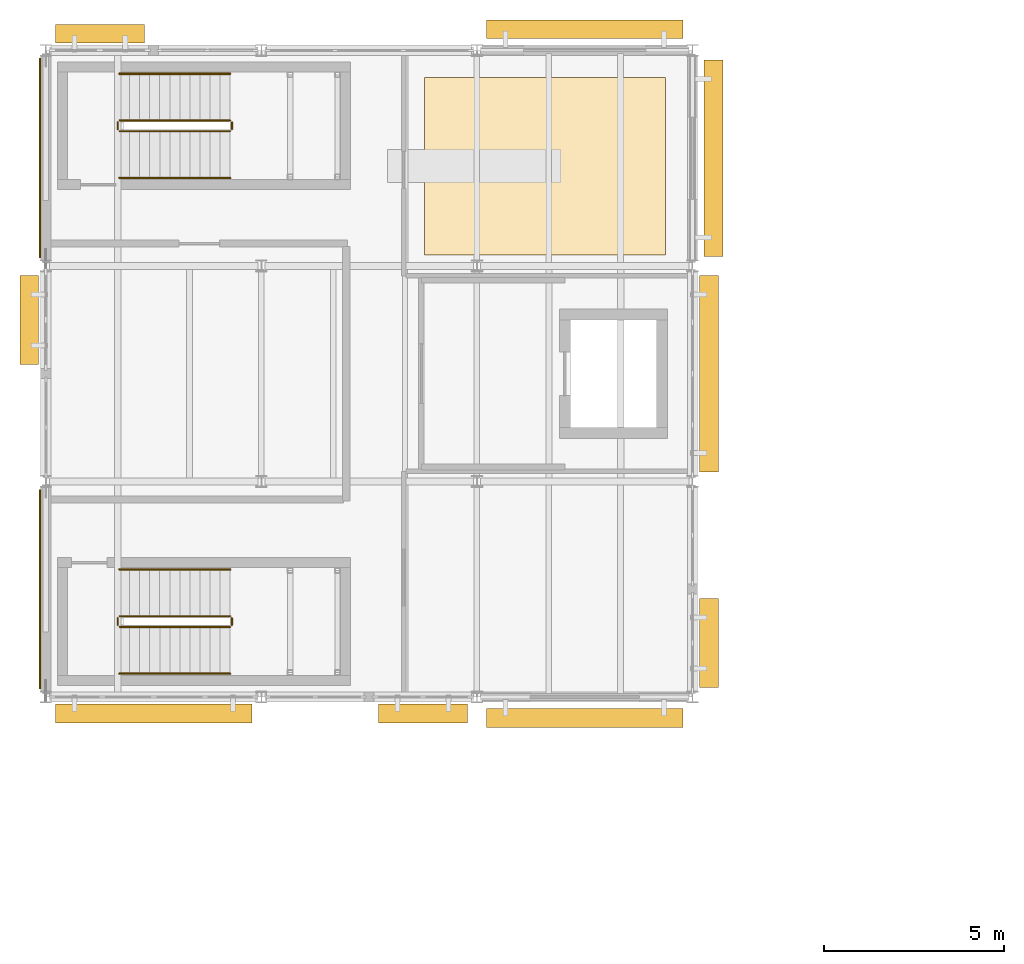
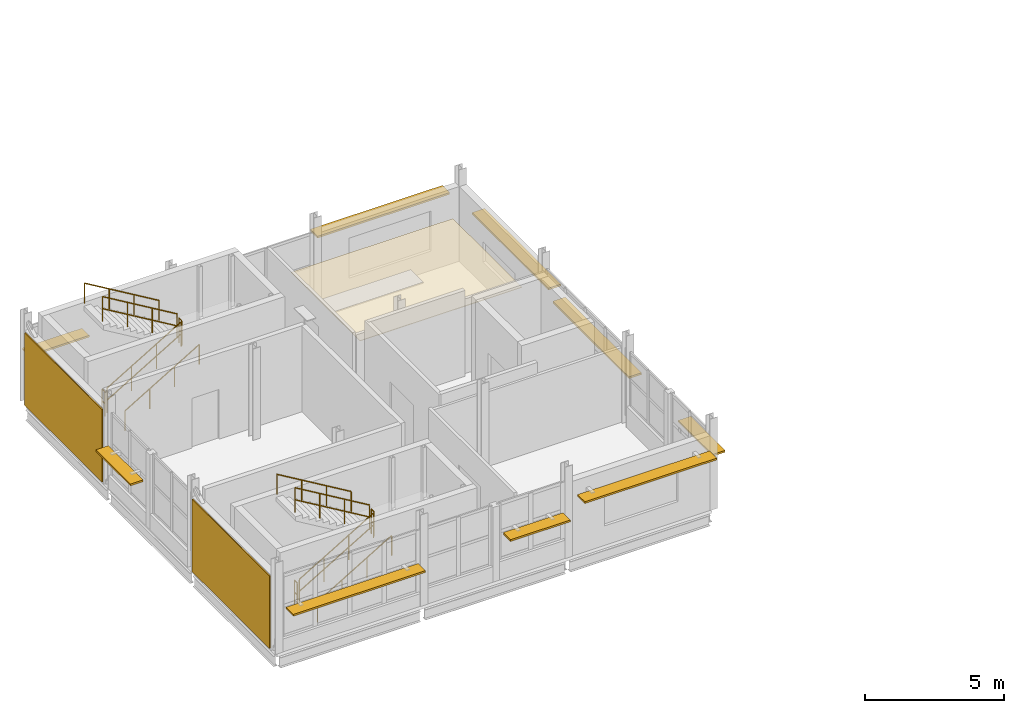
# One storey, part 22 of 23: 12 railings, 9 shading devices, 3 coverings.
"""IFC4 building model written with IfcOpenShell, lengths in metres."""

from ifc_helpers import new_model, si_unit, direction, frame, origin, origin_2d, place, context, subcontext, project, spatial, polyline, rectangle, circle, outline, extrude, material, layer, layer_set, type_object, element, save


model = new_model("IFC4")

# Units and contexts
model_context = context("Model", 3, precision=1e-05, world=origin(), true_north=direction((0.0, 1.0)))
body_context = subcontext(model_context, "Body", "Model", "MODEL_VIEW")
ifc_project = project(units=[si_unit("LENGTHUNIT", "METRE"), si_unit("AREAUNIT", "SQUARE_METRE"), si_unit("VOLUMEUNIT", "CUBIC_METRE"), si_unit("PLANEANGLEUNIT", "RADIAN"), si_unit("MASSUNIT", "GRAM", prefix="KILO")], contexts=[model_context])

# Site, building, storey
site_placement = place(None, origin())
site = spatial("IfcSite", under=ifc_project, at=site_placement, CompositionType="ELEMENT")
building_placement = place(site_placement, origin())
building = spatial("IfcBuilding", under=site, at=building_placement, Name="Siltcreek Boulevard Central Fire Station", CompositionType="ELEMENT")
storey_placement = place(building_placement, frame((0.0, 0.0, 14.0)))
storey = spatial("IfcBuildingStorey", under=building, at=storey_placement, Name="L04", CompositionType="ELEMENT", Elevation=14.0)

# Coverings
ifc_material_1 = material(Name="Mineral-fiber acoustic ceiling tile", Category="gypsum")
ifc_layer_1 = layer(ifc_material_1, 0.02490234375, Name="Mineral-fiber acoustic ceiling tile")
ifc_layer_set_1 = layer_set([ifc_layer_1], Name="Mineral-fiber acoustic ceiling tile")
covering_type_1 = type_object("IfcCoveringType", Name="COV_CEIL_ACT", PredefinedType="CEILING", material=ifc_layer_set_1)
covering_placement = place(storey_placement, frame((0.0, 0.0, 2.419921875)))
element("IfcCovering", 1, at=covering_placement, inside=storey, type_object=covering_type_1, Name="L04 Thermal Imaging Classroom L04 acoustic ceiling ACT-037", PredefinedType="CEILING", context=body_context, shape_type="SweptSolid", body=[
    extrude(outline(polyline([(52.5400390625, 106.5), (59.25, 106.5), (59.25, 111.449951171875), (52.5400390625, 111.449951171875), (52.5400390625, 106.5)])), origin(), (0.0, 0.0, 1.0), 0.025146484375),
])
ifc_material_2 = material(Name="Crisp white ribbed aluminum facade panel", Category="aluminium")
ifc_layer_2 = layer(ifc_material_2, 0.0400390625, Name="Crisp white ribbed aluminum facade panel")
ifc_layer_set_2 = layer_set([ifc_layer_2], Name="Crisp white ribbed aluminum facade panel")
covering_type_2 = type_object("IfcCoveringType", Name="COV_CLAD_WHITE", PredefinedType="CLADDING", material=ifc_layer_set_2)
for number, where, z_axis, x_axis, name in (
    (2, (41.8369140625, 97.199951171875, 0.0498046875), (0.0, 0.0, 1.0), (0.0, -1.0, 0.0), "L04 V3 ventilated facade cladding panel CL-014"),
    (3, (41.8369140625, 109.199951171875, 0.0498046875), (0.0, 0.0, 1.0), (0.0, -1.0, 0.0), "L04 V3 ventilated facade cladding panel CL-015"),
):
    element("IfcCovering", number, at=place(storey_placement, frame(where, z_axis=z_axis, x_axis=x_axis)), inside=storey, type_object=covering_type_2, Name=name, PredefinedType="CLADDING", context=body_context, shape_type="SweptSolid", body=[
        extrude(rectangle(XDim=5.550048828125, YDim=0.0400390625, at=origin_2d()), origin(), (0.0, 0.0, 1.0), 3.173095703125),
    ])

# Railings
ifc_material_3 = material(Name="Painted galvanized steel stair guard", Category="steel")
railing_type_1 = type_object("IfcRailingType", Name="RL_ST_GUARD", PredefinedType="BALUSTRADE", material=ifc_material_3)
railing_1_placement = place(storey_placement, frame((44.050048828125, 96.14990234375, 0.166748046875)))
element("IfcRailing", 4, at=railing_1_placement, inside=storey, type_object=railing_type_1, Name="L04 ST-V3A stair guard 1", PredefinedType="BALUSTRADE", context=body_context, shape_type="SweptSolid", body=[
    extrude(circle(Radius=0.02392578125, at=origin_2d()), frame((0.0, 0.0, 1.076171875), z_axis=(0.859290745958, 0.0, 0.51148745235), x_axis=(0.0, 1.0, 0.0)), (0.0, 0.0, 1.0), 3.584228515625),
    extrude(circle(Radius=0.02392578125, at=origin_2d()), frame((0.0, 0.0, 0.550048828125), z_axis=(0.859290745958, 0.0, 0.51148745235), x_axis=(0.0, 1.0, 0.0)), (0.0, 0.0, 1.0), 3.584228515625),
    extrude(circle(Radius=0.02099609375, at=origin_2d()), origin(), (0.0, 0.0, 1.0), 1.052001953125),
    extrude(circle(Radius=0.02099609375, at=origin_2d()), frame((1.026611328125, 0.0, 0.611083984375)), (0.0, 0.0, 1.0), 1.052001953125),
    extrude(circle(Radius=0.02099609375, at=origin_2d()), frame((2.05322265625, 0.0, 1.22216796875)), (0.0, 0.0, 1.0), 1.052001953125),
    extrude(circle(Radius=0.02099609375, at=origin_2d()), frame((3.079833984375, 0.0, 1.833251953125)), (0.0, 0.0, 1.0), 1.052001953125),
])
railing_2_placement = place(storey_placement, frame((47.179931640625, 96.199951171875, 2.0)))
element("IfcRailing", 5, at=railing_2_placement, inside=storey, type_object=railing_type_1, Name="L04 ST-V3A stair guard 2", PredefinedType="BALUSTRADE", context=body_context, shape_type="SweptSolid", body=[
    extrude(circle(Radius=0.02392578125, at=origin_2d()), frame((0.0, 0.0, 1.076171875), z_axis=(0.0, 1.0, 0.0), x_axis=(-1.0, 0.0, 0.0)), (0.0, 0.0, 1.0), 0.199951171875),
    extrude(circle(Radius=0.02392578125, at=origin_2d()), frame((0.0, 0.0, 0.550048828125), z_axis=(0.0, 1.0, 0.0), x_axis=(-1.0, 0.0, 0.0)), (0.0, 0.0, 1.0), 0.199951171875),
    extrude(circle(Radius=0.02099609375, at=origin_2d()), origin(), (0.0, 0.0, 1.0), 1.052001953125),
    extrude(circle(Radius=0.02099609375, at=origin_2d()), frame((0.0, 0.199951171875, 0.0)), (0.0, 0.0, 1.0), 1.052001953125),
])
railing_3_placement = place(storey_placement, frame((47.1298828125, 96.449951171875, 2.166748046875)))
element("IfcRailing", 6, at=railing_3_placement, inside=storey, type_object=railing_type_1, Name="L04 ST-V3A stair guard 3", PredefinedType="BALUSTRADE", context=body_context, shape_type="SweptSolid", body=[
    extrude(circle(Radius=0.02392578125, at=origin_2d()), frame((0.0, 0.0, 1.076171875), z_axis=(-0.859290745958, 0.0, 0.51148745235), x_axis=(0.0, -1.0, 0.0)), (0.0, 0.0, 1.0), 3.584228515625),
    extrude(circle(Radius=0.02392578125, at=origin_2d()), frame((0.0, 0.0, 0.550048828125), z_axis=(-0.859290745958, 0.0, 0.51148745235), x_axis=(0.0, -1.0, 0.0)), (0.0, 0.0, 1.0), 3.584228515625),
    extrude(circle(Radius=0.02099609375, at=origin_2d()), origin(), (0.0, 0.0, 1.0), 1.052001953125),
    extrude(circle(Radius=0.02099609375, at=origin_2d()), frame((-1.026611328125, 0.0, 0.611083984375)), (0.0, 0.0, 1.0), 1.052001953125),
    extrude(circle(Radius=0.02099609375, at=origin_2d()), frame((-2.05322265625, 0.0, 1.22216796875)), (0.0, 0.0, 1.0), 1.052001953125),
    extrude(circle(Radius=0.02099609375, at=origin_2d()), frame((-3.079833984375, 0.0, 1.833251953125)), (0.0, 0.0, 1.0), 1.052001953125),
])
railing_4_placement = place(storey_placement, frame((44.0, 96.199951171875, 0.0)))
element("IfcRailing", 7, at=railing_4_placement, inside=storey, type_object=railing_type_1, Name="L04 ST-V3A stair guard 4", PredefinedType="BALUSTRADE", context=body_context, shape_type="SweptSolid", body=[
    extrude(circle(Radius=0.02392578125, at=origin_2d()), frame((0.0, 0.0, 1.076171875), z_axis=(0.0, 1.0, 0.0), x_axis=(-1.0, 0.0, 0.0)), (0.0, 0.0, 1.0), 0.199951171875),
    extrude(circle(Radius=0.02392578125, at=origin_2d()), frame((0.0, 0.0, 0.550048828125), z_axis=(0.0, 1.0, 0.0), x_axis=(-1.0, 0.0, 0.0)), (0.0, 0.0, 1.0), 0.199951171875),
    extrude(circle(Radius=0.02099609375, at=origin_2d()), origin(), (0.0, 0.0, 1.0), 1.052001953125),
    extrude(circle(Radius=0.02099609375, at=origin_2d()), frame((0.0, 0.199951171875, 0.0)), (0.0, 0.0, 1.0), 1.052001953125),
])
railing_5_placement = place(storey_placement, frame((44.050048828125, 109.949951171875, 0.166748046875)))
element("IfcRailing", 8, at=railing_5_placement, inside=storey, type_object=railing_type_1, Name="L04 ST-V3B stair guard 1", PredefinedType="BALUSTRADE", context=body_context, shape_type="SweptSolid", body=[
    extrude(circle(Radius=0.02392578125, at=origin_2d()), frame((0.0, 0.0, 1.076171875), z_axis=(0.859290745958, 0.0, 0.51148745235), x_axis=(0.0, 1.0, 0.0)), (0.0, 0.0, 1.0), 3.584228515625),
    extrude(circle(Radius=0.02392578125, at=origin_2d()), frame((0.0, 0.0, 0.550048828125), z_axis=(0.859290745958, 0.0, 0.51148745235), x_axis=(0.0, 1.0, 0.0)), (0.0, 0.0, 1.0), 3.584228515625),
    extrude(circle(Radius=0.02099609375, at=origin_2d()), origin(), (0.0, 0.0, 1.0), 1.052001953125),
    extrude(circle(Radius=0.02099609375, at=origin_2d()), frame((1.026611328125, 0.0, 0.611083984375)), (0.0, 0.0, 1.0), 1.052001953125),
    extrude(circle(Radius=0.02099609375, at=origin_2d()), frame((2.05322265625, 0.0, 1.22216796875)), (0.0, 0.0, 1.0), 1.052001953125),
    extrude(circle(Radius=0.02099609375, at=origin_2d()), frame((3.079833984375, 0.0, 1.833251953125)), (0.0, 0.0, 1.0), 1.052001953125),
])
railing_6_placement = place(storey_placement, frame((47.179931640625, 110.0, 2.0)))
element("IfcRailing", 9, at=railing_6_placement, inside=storey, type_object=railing_type_1, Name="L04 ST-V3B stair guard 2", PredefinedType="BALUSTRADE", context=body_context, shape_type="SweptSolid", body=[
    extrude(circle(Radius=0.02392578125, at=origin_2d()), frame((0.0, 0.0, 1.076171875), z_axis=(0.0, 1.0, 0.0), x_axis=(-1.0, 0.0, 0.0)), (0.0, 0.0, 1.0), 0.199951171875),
    extrude(circle(Radius=0.02392578125, at=origin_2d()), frame((0.0, 0.0, 0.550048828125), z_axis=(0.0, 1.0, 0.0), x_axis=(-1.0, 0.0, 0.0)), (0.0, 0.0, 1.0), 0.199951171875),
    extrude(circle(Radius=0.02099609375, at=origin_2d()), origin(), (0.0, 0.0, 1.0), 1.052001953125),
    extrude(circle(Radius=0.02099609375, at=origin_2d()), frame((0.0, 0.199951171875, 0.0)), (0.0, 0.0, 1.0), 1.052001953125),
])
railing_7_placement = place(storey_placement, frame((47.1298828125, 110.25, 2.166748046875)))
element("IfcRailing", 10, at=railing_7_placement, inside=storey, type_object=railing_type_1, Name="L04 ST-V3B stair guard 3", PredefinedType="BALUSTRADE", context=body_context, shape_type="SweptSolid", body=[
    extrude(circle(Radius=0.02392578125, at=origin_2d()), frame((0.0, 0.0, 1.076171875), z_axis=(-0.859290745958, 0.0, 0.51148745235), x_axis=(0.0, -1.0, 0.0)), (0.0, 0.0, 1.0), 3.584228515625),
    extrude(circle(Radius=0.02392578125, at=origin_2d()), frame((0.0, 0.0, 0.550048828125), z_axis=(-0.859290745958, 0.0, 0.51148745235), x_axis=(0.0, -1.0, 0.0)), (0.0, 0.0, 1.0), 3.584228515625),
    extrude(circle(Radius=0.02099609375, at=origin_2d()), origin(), (0.0, 0.0, 1.0), 1.052001953125),
    extrude(circle(Radius=0.02099609375, at=origin_2d()), frame((-1.026611328125, 0.0, 0.611083984375)), (0.0, 0.0, 1.0), 1.052001953125),
    extrude(circle(Radius=0.02099609375, at=origin_2d()), frame((-2.05322265625, 0.0, 1.22216796875)), (0.0, 0.0, 1.0), 1.052001953125),
    extrude(circle(Radius=0.02099609375, at=origin_2d()), frame((-3.079833984375, 0.0, 1.833251953125)), (0.0, 0.0, 1.0), 1.052001953125),
])
railing_8_placement = place(storey_placement, frame((44.0, 110.0, 0.0)))
element("IfcRailing", 11, at=railing_8_placement, inside=storey, type_object=railing_type_1, Name="L04 ST-V3B stair guard 4", PredefinedType="BALUSTRADE", context=body_context, shape_type="SweptSolid", body=[
    extrude(circle(Radius=0.02392578125, at=origin_2d()), frame((0.0, 0.0, 1.076171875), z_axis=(0.0, 1.0, 0.0), x_axis=(-1.0, 0.0, 0.0)), (0.0, 0.0, 1.0), 0.199951171875),
    extrude(circle(Radius=0.02392578125, at=origin_2d()), frame((0.0, 0.0, 0.550048828125), z_axis=(0.0, 1.0, 0.0), x_axis=(-1.0, 0.0, 0.0)), (0.0, 0.0, 1.0), 0.199951171875),
    extrude(circle(Radius=0.02099609375, at=origin_2d()), origin(), (0.0, 0.0, 1.0), 1.052001953125),
    extrude(circle(Radius=0.02099609375, at=origin_2d()), frame((0.0, 0.199951171875, 0.0)), (0.0, 0.0, 1.0), 1.052001953125),
])
ifc_material_4 = material(Name="Brushed stainless steel stair handrail", Category="steel")
railing_type_2 = type_object("IfcRailingType", Name="RL_ST_HAND", PredefinedType="HANDRAIL", material=ifc_material_4)
railing_9_placement = place(storey_placement, frame((44.050048828125, 94.85009765625, 0.166748046875)))
element("IfcRailing", 12, at=railing_9_placement, inside=storey, type_object=railing_type_2, Name="L04 ST-V3A stair handrail 1", PredefinedType="HANDRAIL", context=body_context, shape_type="SweptSolid", body=[
    extrude(circle(Radius=0.02392578125, at=origin_2d()), frame((0.0, 0.0, 0.8759765625), z_axis=(0.859290745958, 0.0, 0.51148745235), x_axis=(0.0, 1.0, 0.0)), (0.0, 0.0, 1.0), 3.584228515625),
    extrude(circle(Radius=0.02099609375, at=origin_2d()), origin(), (0.0, 0.0, 1.0), 0.851806640625),
    extrude(circle(Radius=0.02099609375, at=origin_2d()), frame((1.026611328125, 0.0, 0.611083984375)), (0.0, 0.0, 1.0), 0.851806640625),
    extrude(circle(Radius=0.02099609375, at=origin_2d()), frame((2.05322265625, 0.0, 1.22216796875)), (0.0, 0.0, 1.0), 0.851806640625),
    extrude(circle(Radius=0.02099609375, at=origin_2d()), frame((3.079833984375, 0.0, 1.833251953125)), (0.0, 0.0, 1.0), 0.851806640625),
])
railing_10_placement = place(storey_placement, frame((47.1298828125, 97.75, 2.166748046875)))
element("IfcRailing", 13, at=railing_10_placement, inside=storey, type_object=railing_type_2, Name="L04 ST-V3A stair handrail 2", PredefinedType="HANDRAIL", context=body_context, shape_type="SweptSolid", body=[
    extrude(circle(Radius=0.02392578125, at=origin_2d()), frame((0.0, 0.0, 0.8759765625), z_axis=(-0.859290745958, 0.0, 0.51148745235), x_axis=(0.0, -1.0, 0.0)), (0.0, 0.0, 1.0), 3.584228515625),
    extrude(circle(Radius=0.02099609375, at=origin_2d()), origin(), (0.0, 0.0, 1.0), 0.851806640625),
    extrude(circle(Radius=0.02099609375, at=origin_2d()), frame((-1.026611328125, 0.0, 0.611083984375)), (0.0, 0.0, 1.0), 0.851806640625),
    extrude(circle(Radius=0.02099609375, at=origin_2d()), frame((-2.05322265625, 0.0, 1.22216796875)), (0.0, 0.0, 1.0), 0.851806640625),
    extrude(circle(Radius=0.02099609375, at=origin_2d()), frame((-3.079833984375, 0.0, 1.833251953125)), (0.0, 0.0, 1.0), 0.851806640625),
])
railing_11_placement = place(storey_placement, frame((44.050048828125, 108.64990234375, 0.166748046875)))
element("IfcRailing", 14, at=railing_11_placement, inside=storey, type_object=railing_type_2, Name="L04 ST-V3B stair handrail 1", PredefinedType="HANDRAIL", context=body_context, shape_type="SweptSolid", body=[
    extrude(circle(Radius=0.02392578125, at=origin_2d()), frame((0.0, 0.0, 0.8759765625), z_axis=(0.859290745958, 0.0, 0.51148745235), x_axis=(0.0, 1.0, 0.0)), (0.0, 0.0, 1.0), 3.584228515625),
    extrude(circle(Radius=0.02099609375, at=origin_2d()), origin(), (0.0, 0.0, 1.0), 0.851806640625),
    extrude(circle(Radius=0.02099609375, at=origin_2d()), frame((1.026611328125, 0.0, 0.611083984375)), (0.0, 0.0, 1.0), 0.851806640625),
    extrude(circle(Radius=0.02099609375, at=origin_2d()), frame((2.05322265625, 0.0, 1.22216796875)), (0.0, 0.0, 1.0), 0.851806640625),
    extrude(circle(Radius=0.02099609375, at=origin_2d()), frame((3.079833984375, 0.0, 1.833251953125)), (0.0, 0.0, 1.0), 0.851806640625),
])
railing_12_placement = place(storey_placement, frame((47.1298828125, 111.550048828125, 2.166748046875)))
element("IfcRailing", 15, at=railing_12_placement, inside=storey, type_object=railing_type_2, Name="L04 ST-V3B stair handrail 2", PredefinedType="HANDRAIL", context=body_context, shape_type="SweptSolid", body=[
    extrude(circle(Radius=0.02392578125, at=origin_2d()), frame((0.0, 0.0, 0.8759765625), z_axis=(-0.859290745958, 0.0, 0.51148745235), x_axis=(0.0, -1.0, 0.0)), (0.0, 0.0, 1.0), 3.584228515625),
    extrude(circle(Radius=0.02099609375, at=origin_2d()), origin(), (0.0, 0.0, 1.0), 0.851806640625),
    extrude(circle(Radius=0.02099609375, at=origin_2d()), frame((-1.026611328125, 0.0, 0.611083984375)), (0.0, 0.0, 1.0), 0.851806640625),
    extrude(circle(Radius=0.02099609375, at=origin_2d()), frame((-2.05322265625, 0.0, 1.22216796875)), (0.0, 0.0, 1.0), 0.851806640625),
    extrude(circle(Radius=0.02099609375, at=origin_2d()), frame((-3.079833984375, 0.0, 1.833251953125)), (0.0, 0.0, 1.0), 0.851806640625),
])

# Shading devices
ifc_material_5 = material(Name="Frey sage-green anodized tubular aluminum sunshade", Category="aluminium")
ifc_layer_3 = layer(ifc_material_5, 0.080078125, Name="Frey sage-green anodized tubular aluminum sunshade")
ifc_layer_set_3 = layer_set([ifc_layer_3], Name="Frey sage-green anodized tubular aluminum sunshade")
shading_device_type = type_object("IfcShadingDeviceType", Name="SHD_BRISE", PredefinedType="USERDEFINED", material=ifc_layer_set_3)
shading_device_1_placement = place(storey_placement, frame((45.0, 93.739990234375, 1.87451171875), z_axis=(0.0, 0.0, 1.0), x_axis=(1.0, 0.0, 0.0)))
element("IfcShadingDevice", 16, at=shading_device_1_placement, inside=storey, type_object=shading_device_type, Name="Anodized tubular aluminum brise-soleil SS-050", ObjectType="SUNSHADE", PredefinedType="USERDEFINED", context=body_context, shape_type="SweptSolid", body=[
    extrude(rectangle(XDim=5.469970703125, YDim=0.52001953125, at=origin_2d()), origin(), (0.0, 0.0, 1.0), 0.080078125),
])
shading_device_2_placement = place(storey_placement, frame((52.49755859375, 93.739990234375, 1.994384765625), z_axis=(0.0, 0.0, 1.0), x_axis=(1.0, 0.0, 0.0)))
element("IfcShadingDevice", 17, at=shading_device_2_placement, inside=storey, type_object=shading_device_type, Name="Anodized tubular aluminum brise-soleil SS-051", ObjectType="SUNSHADE", PredefinedType="USERDEFINED", context=body_context, shape_type="SweptSolid", body=[
    extrude(rectangle(XDim=2.47509765625, YDim=0.52001953125, at=origin_2d()), origin(), (0.0, 0.0, 1.0), 0.080078125),
])
shading_device_3_placement = place(storey_placement, frame((57.0, 93.614990234375, 2.679931640625), z_axis=(0.0, 0.0, 1.0), x_axis=(1.0, 0.0, 0.0)))
element("IfcShadingDevice", 18, at=shading_device_3_placement, inside=storey, type_object=shading_device_type, Name="Anodized tubular aluminum brise-soleil SS-052", ObjectType="SUNSHADE", PredefinedType="USERDEFINED", context=body_context, shape_type="SweptSolid", body=[
    extrude(rectangle(XDim=5.469970703125, YDim=0.52001953125, at=origin_2d()), origin(), (0.0, 0.0, 1.0), 0.080078125),
])
shading_device_4_placement = place(storey_placement, frame((43.50244140625, 112.659912109375, 1.75439453125), z_axis=(0.0, 0.0, 1.0), x_axis=(-1.0, 0.0, 0.0)))
element("IfcShadingDevice", 19, at=shading_device_4_placement, inside=storey, type_object=shading_device_type, Name="Anodized tubular aluminum brise-soleil SS-053", ObjectType="SUNSHADE", PredefinedType="USERDEFINED", context=body_context, shape_type="SweptSolid", body=[
    extrude(rectangle(XDim=2.47509765625, YDim=0.52001953125, at=origin_2d()), origin(), (0.0, 0.0, 1.0), 0.080078125),
])
shading_device_5_placement = place(storey_placement, frame((57.0, 112.784912109375, 2.679931640625), z_axis=(0.0, 0.0, 1.0), x_axis=(-1.0, 0.0, 0.0)))
element("IfcShadingDevice", 20, at=shading_device_5_placement, inside=storey, type_object=shading_device_type, Name="Anodized tubular aluminum brise-soleil SS-054", ObjectType="SUNSHADE", PredefinedType="USERDEFINED", context=body_context, shape_type="SweptSolid", body=[
    extrude(rectangle(XDim=5.469970703125, YDim=0.52001953125, at=origin_2d()), origin(), (0.0, 0.0, 1.0), 0.080078125),
])
for number, where, z_axis, x_axis, name in (
    (21, (41.5400390625, 104.697509765625, 1.87646484375), (0.0, 0.0, 1.0), (0.0, -1.0, 0.0), "Anodized tubular aluminum brise-soleil SS-055"),
    (22, (60.4599609375, 95.702392578125, 1.99658203125), (0.0, 0.0, 1.0), (0.0, 1.0, 0.0), "Anodized tubular aluminum brise-soleil SS-056"),
):
    element("IfcShadingDevice", number, at=place(storey_placement, frame(where, z_axis=z_axis, x_axis=x_axis)), inside=storey, type_object=shading_device_type, Name=name, ObjectType="SUNSHADE", PredefinedType="USERDEFINED", context=body_context, shape_type="SweptSolid", body=[
        extrude(rectangle(XDim=2.47509765625, YDim=0.52001953125, at=origin_2d()), origin(), (0.0, 0.0, 1.0), 0.080078125),
    ])
for number, where, z_axis, x_axis, name in (
    (23, (60.4599609375, 103.199951171875, 1.75634765625), (0.0, 0.0, 1.0), (0.0, 1.0, 0.0), "Anodized tubular aluminum brise-soleil SS-057"),
    (24, (60.5849609375, 109.199951171875, 1.9599609375), (0.0, 0.0, 1.0), (0.0, 1.0, 0.0), "Anodized tubular aluminum brise-soleil SS-058"),
):
    element("IfcShadingDevice", number, at=place(storey_placement, frame(where, z_axis=z_axis, x_axis=x_axis)), inside=storey, type_object=shading_device_type, Name=name, ObjectType="SUNSHADE", PredefinedType="USERDEFINED", context=body_context, shape_type="SweptSolid", body=[
        extrude(rectangle(XDim=5.469970703125, YDim=0.52001953125, at=origin_2d()), origin(), (0.0, 0.0, 1.0), 0.080078125),
    ])

save(model, "model.ifc")
